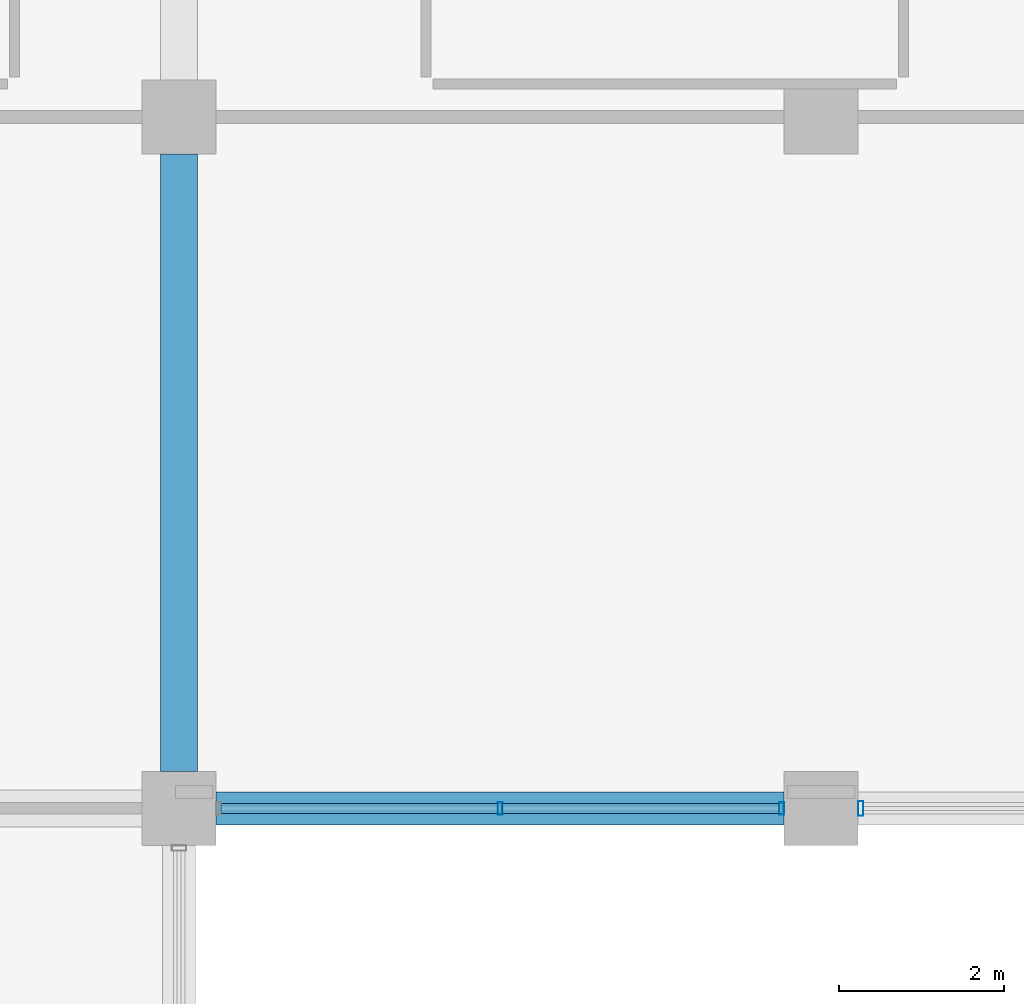
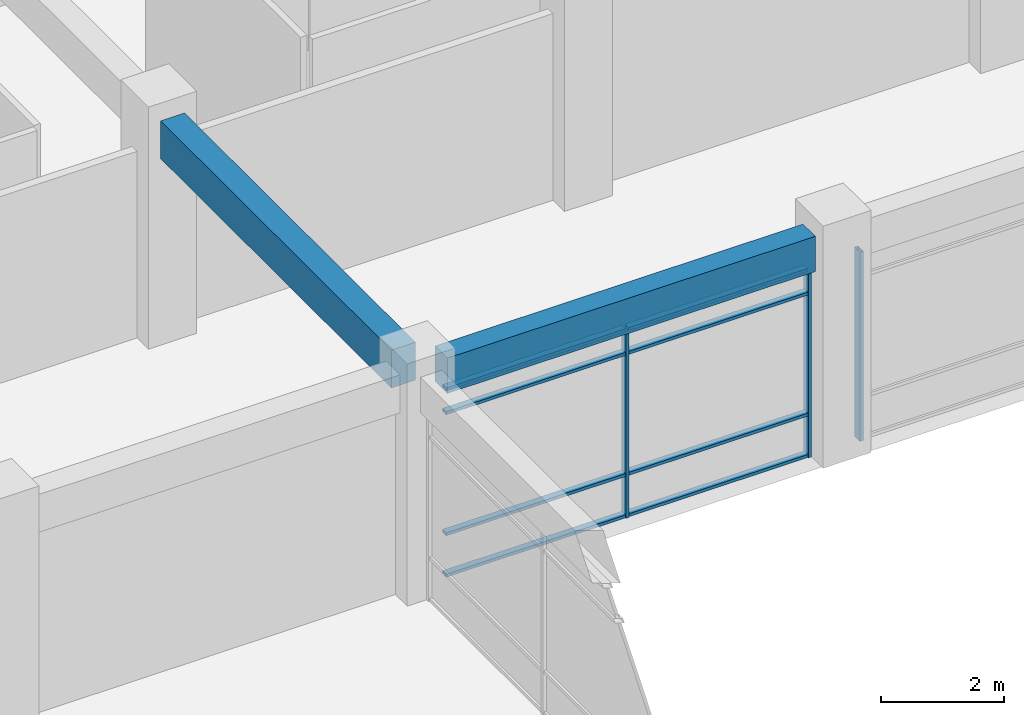
# One storey, part 25 of 79: 11 members, 2 beams, 2 elements without a shape of their own.
"""IFC4 building model written with IfcOpenShell, lengths in metres."""

from ifc_helpers import new_model, si_unit, direction, frame, origin, origin_2d, place, context, subcontext, project, spatial, rectangle, hollow_rectangle, extrude, material, material_profile, profile_set, type_object, element, aggregate, save


model = new_model("IFC4")

# Units and contexts
model_context = context("Model", 3, precision=1e-05, world=origin(), true_north=direction((0.0, 1.0)))
body_context = subcontext(model_context, "Body", "Model", "MODEL_VIEW")
ifc_project = project(units=[si_unit("LENGTHUNIT", "METRE"), si_unit("AREAUNIT", "SQUARE_METRE"), si_unit("VOLUMEUNIT", "CUBIC_METRE"), si_unit("PLANEANGLEUNIT", "RADIAN"), si_unit("MASSUNIT", "GRAM", prefix="KILO"), si_unit("THERMODYNAMICTEMPERATUREUNIT", "KELVIN"), si_unit("POWERUNIT", "WATT")], contexts=[model_context])

# Site, building, storey
site_placement = place(None, origin())
site = spatial("IfcSite", under=ifc_project, at=site_placement, CompositionType="ELEMENT")
building_placement = place(site_placement, origin())
building = spatial("IfcBuilding", under=site, at=building_placement, Name="Srebrne Nadtorze General Hospital", CompositionType="ELEMENT")
storey_placement = place(building_placement, frame((0.0, 0.0, 4.800048828125)))
storey = spatial("IfcBuildingStorey", under=building, at=storey_placement, Name="L01", CompositionType="ELEMENT", Elevation=4.800048828125)

# Curtain wall, members
ifc_material_1 = material(Name="Anodised Aluminium", Category="aluminium")
curtain_wall_type = type_object("IfcCurtainWallType", Name="Unitised curtain wall 6900x3750", PredefinedType="NOTDEFINED", material=ifc_material_1)
curtain_wall_1_placement = place(storey_placement, origin())
curtain_wall_1 = element("IfcCurtainWall", 1, at=curtain_wall_1_placement, inside=storey, type_object=curtain_wall_type, Name="Curtain wall CW-048", PredefinedType="NOTDEFINED")
ifc_material_2 = material(Name="Anodised Aluminium", Category="aluminium")
ifc_material_profile_1 = material_profile(ifc_material_2, hollow_rectangle(XDim=0.06005859375, YDim=0.14990234375, WallThickness=0.00390625, at=origin_2d()), Name="AL-MUL-60x150")
ifc_profile_set_1 = profile_set([ifc_material_profile_1], Name="Anodised Aluminium")
member_type_1 = type_object("IfcMemberType", Name="Curtain mullion 60x150", PredefinedType="MULLION", material=ifc_profile_set_1)
member_1_placement = place(storey_placement, frame((120.89990234375, 25.199951171875, 0.0), z_axis=(0.0, 0.0, 1.0), x_axis=(1.0, 0.0, 0.0)))
member_1 = element("IfcMember", 2, at=member_1_placement, type_object=member_type_1, Name="CW-048 mullion 2", PredefinedType="MULLION", context=body_context, shape_type="SweptSolid", body=[
    extrude(hollow_rectangle(XDim=0.06005859375, YDim=0.14990234375, WallThickness=0.00390625, at=origin_2d()), origin(), (0.0, 0.0, 1.0), 3.75),
])
member_2_placement = place(storey_placement, frame((124.320068359375, 25.199951171875, 0.0), z_axis=(0.0, 0.0, 1.0), x_axis=(1.0, 0.0, 0.0)))
member_2 = element("IfcMember", 3, at=member_2_placement, type_object=member_type_1, Name="CW-048 mullion 3", PredefinedType="MULLION", context=body_context, shape_type="SweptSolid", body=[
    extrude(hollow_rectangle(XDim=0.06005859375, YDim=0.14990234375, WallThickness=0.00390625, at=origin_2d()), origin(), (0.0, 0.0, 1.0), 3.75),
])

# Curtain wall, member
curtain_wall_2_placement = place(storey_placement, origin())
curtain_wall_2 = element("IfcCurtainWall", 4, at=curtain_wall_2_placement, inside=storey, type_object=curtain_wall_type, Name="Curtain wall CW-049", PredefinedType="NOTDEFINED")
ifc_material_3 = material(Name="Anodised Aluminium", Category="aluminium")
ifc_material_profile_2 = material_profile(ifc_material_3, hollow_rectangle(XDim=0.06494140625, YDim=0.179931640625, WallThickness=0.00390625, at=origin_2d()), Name="AL-MUL-65x180")
ifc_profile_set_2 = profile_set([ifc_material_profile_2], Name="Anodised Aluminium")
member_type_2 = type_object("IfcMemberType", Name="Curtain mullion 65x180", PredefinedType="MULLION", material=ifc_profile_set_2)
member_3_placement = place(storey_placement, frame((125.282470703125, 25.199951171875, 0.0), z_axis=(0.0, 0.0, 1.0), x_axis=(1.0, 0.0, 0.0)))
member_3 = element("IfcMember", 5, at=member_3_placement, type_object=member_type_2, Name="CW-049 mullion 1", PredefinedType="MULLION", context=body_context, shape_type="SweptSolid", body=[
    extrude(hollow_rectangle(XDim=0.06494140625, YDim=0.179931640625, WallThickness=0.00390625, at=origin_2d()), origin(), (0.0, 0.0, 1.0), 3.75),
])
aggregate(curtain_wall_2, [member_3])

# Member
ifc_material_4 = material(Name="Anodised Aluminium", Category="aluminium")
ifc_material_profile_3 = material_profile(ifc_material_4, hollow_rectangle(XDim=0.06005859375, YDim=0.1201171875, WallThickness=0.00390625, at=origin_2d()), Name="AL-TRN-60x120")
ifc_profile_set_3 = profile_set([ifc_material_profile_3], Name="Anodised Aluminium")
member_type_3 = type_object("IfcMemberType", Name="Curtain transom 60x120", PredefinedType="USERDEFINED", material=ifc_profile_set_3)
member_4_placement = place(storey_placement, frame((117.510009765625, 25.199951171875, 0.030029296875), z_axis=(1.0, 0.0, 0.0), x_axis=(0.0, 0.0, 1.0)))
member_4 = element("IfcMember", 6, at=member_4_placement, type_object=member_type_3, Name="CW-048 transom 1.1", ObjectType="TRANSOM", PredefinedType="USERDEFINED", context=body_context, shape_type="SweptSolid", body=[
    extrude(hollow_rectangle(XDim=0.06005859375, YDim=0.1201171875, WallThickness=0.00390625, at=origin_2d()), origin(), (0.0, 0.0, 1.0), 3.360107421875),
])

member_5_placement = place(storey_placement, frame((117.510009765625, 25.199951171875, 0.849853515625), z_axis=(1.0, 0.0, 0.0), x_axis=(0.0, 0.0, 1.0)))
member_5 = element("IfcMember", 7, at=member_5_placement, type_object=member_type_3, Name="CW-048 transom 1.2", ObjectType="TRANSOM", PredefinedType="USERDEFINED", context=body_context, shape_type="SweptSolid", body=[
    extrude(hollow_rectangle(XDim=0.06005859375, YDim=0.1201171875, WallThickness=0.00390625, at=origin_2d()), origin(), (0.0, 0.0, 1.0), 3.360107421875),
])

member_6_placement = place(storey_placement, frame((117.510009765625, 25.199951171875, 3.25), z_axis=(1.0, 0.0, 0.0), x_axis=(0.0, 0.0, 1.0)))
member_6 = element("IfcMember", 8, at=member_6_placement, type_object=member_type_3, Name="CW-048 transom 1.3", ObjectType="TRANSOM", PredefinedType="USERDEFINED", context=body_context, shape_type="SweptSolid", body=[
    extrude(hollow_rectangle(XDim=0.06005859375, YDim=0.1201171875, WallThickness=0.00390625, at=origin_2d()), origin(), (0.0, 0.0, 1.0), 3.360107421875),
])

member_7_placement = place(storey_placement, frame((117.510009765625, 25.199951171875, 3.719970703125), z_axis=(1.0, 0.0, 0.0), x_axis=(0.0, 0.0, 1.0)))
member_7 = element("IfcMember", 9, at=member_7_placement, type_object=member_type_3, Name="CW-048 transom 1.4", ObjectType="TRANSOM", PredefinedType="USERDEFINED", context=body_context, shape_type="SweptSolid", body=[
    extrude(hollow_rectangle(XDim=0.06005859375, YDim=0.1201171875, WallThickness=0.00390625, at=origin_2d()), origin(), (0.0, 0.0, 1.0), 3.360107421875),
])

member_8_placement = place(storey_placement, frame((120.929931640625, 25.199951171875, 0.030029296875), z_axis=(1.0, 0.0, 0.0), x_axis=(0.0, 0.0, 1.0)))
member_8 = element("IfcMember", 10, at=member_8_placement, type_object=member_type_3, Name="CW-048 transom 2.1", ObjectType="TRANSOM", PredefinedType="USERDEFINED", context=body_context, shape_type="SweptSolid", body=[
    extrude(hollow_rectangle(XDim=0.06005859375, YDim=0.1201171875, WallThickness=0.00390625, at=origin_2d()), origin(), (0.0, 0.0, 1.0), 3.360107421875),
])

member_9_placement = place(storey_placement, frame((120.929931640625, 25.199951171875, 0.849853515625), z_axis=(1.0, 0.0, 0.0), x_axis=(0.0, 0.0, 1.0)))
member_9 = element("IfcMember", 11, at=member_9_placement, type_object=member_type_3, Name="CW-048 transom 2.2", ObjectType="TRANSOM", PredefinedType="USERDEFINED", context=body_context, shape_type="SweptSolid", body=[
    extrude(hollow_rectangle(XDim=0.06005859375, YDim=0.1201171875, WallThickness=0.00390625, at=origin_2d()), origin(), (0.0, 0.0, 1.0), 3.360107421875),
])

member_10_placement = place(storey_placement, frame((120.929931640625, 25.199951171875, 3.25), z_axis=(1.0, 0.0, 0.0), x_axis=(0.0, 0.0, 1.0)))
member_10 = element("IfcMember", 12, at=member_10_placement, type_object=member_type_3, Name="CW-048 transom 2.3", ObjectType="TRANSOM", PredefinedType="USERDEFINED", context=body_context, shape_type="SweptSolid", body=[
    extrude(hollow_rectangle(XDim=0.06005859375, YDim=0.1201171875, WallThickness=0.00390625, at=origin_2d()), origin(), (0.0, 0.0, 1.0), 3.360107421875),
])

member_11_placement = place(storey_placement, frame((120.929931640625, 25.199951171875, 3.719970703125), z_axis=(1.0, 0.0, 0.0), x_axis=(0.0, 0.0, 1.0)))
member_11 = element("IfcMember", 13, at=member_11_placement, type_object=member_type_3, Name="CW-048 transom 2.4", ObjectType="TRANSOM", PredefinedType="USERDEFINED", context=body_context, shape_type="SweptSolid", body=[
    extrude(hollow_rectangle(XDim=0.06005859375, YDim=0.1201171875, WallThickness=0.00390625, at=origin_2d()), origin(), (0.0, 0.0, 1.0), 3.360107421875),
])

aggregate(curtain_wall_1, [member_1, member_2, member_4, member_5, member_6, member_7, member_8, member_9, member_10, member_11])

# Beams
ifc_material_5 = material(Name="Concrete C40/50", Category="concrete")
ifc_material_profile_4 = material_profile(ifc_material_5, rectangle(XDim=0.39990234375, YDim=0.699951171875, at=origin_2d()), Name="RC-BM-400x700")
ifc_profile_set_4 = profile_set([ifc_material_profile_4], Name="Concrete C40/50")
beam_type_1 = type_object("IfcBeamType", Name="Edge beam RC 400x700", PredefinedType="BEAM", material=ifc_profile_set_4)
beam_1_placement = place(storey_placement, frame((117.449951171875, 25.199951171875, 4.099853515625), z_axis=(1.0, 0.0, 0.0), x_axis=(0.0, 1.0, 0.0)))
element("IfcBeam", 14, at=beam_1_placement, inside=storey, type_object=beam_type_1, Name="Beam BM-L01-X-0396", PredefinedType="BEAM", context=body_context, shape_type="SweptSolid", body=[
    extrude(rectangle(XDim=0.39990234375, YDim=0.699951171875, at=origin_2d()), origin(), (0.0, 0.0, 1.0), 6.900146484375),
])
ifc_material_6 = material(Name="Concrete C40/50", Category="concrete")
ifc_material_profile_5 = material_profile(ifc_material_6, rectangle(XDim=0.449951171875, YDim=0.75, at=origin_2d()), Name="RC-BM-450x750")
ifc_profile_set_5 = profile_set([ifc_material_profile_5], Name="Concrete C40/50")
beam_type_2 = type_object("IfcBeamType", Name="Primary beam RC 450x750", PredefinedType="BEAM", material=ifc_profile_set_5)
beam_2_placement = place(storey_placement, frame((117.0, 25.64990234375, 4.074951171875), z_axis=(0.0, 1.0, 0.0), x_axis=(-1.0, 0.0, 0.0)))
element("IfcBeam", 15, at=beam_2_placement, inside=storey, type_object=beam_type_2, Name="Beam BM-L01-Y-0517", PredefinedType="BEAM", context=body_context, shape_type="SweptSolid", body=[
    extrude(rectangle(XDim=0.449951171875, YDim=0.75, at=origin_2d()), origin(), (0.0, 0.0, 1.0), 7.5),
])

save(model, "model.ifc")
